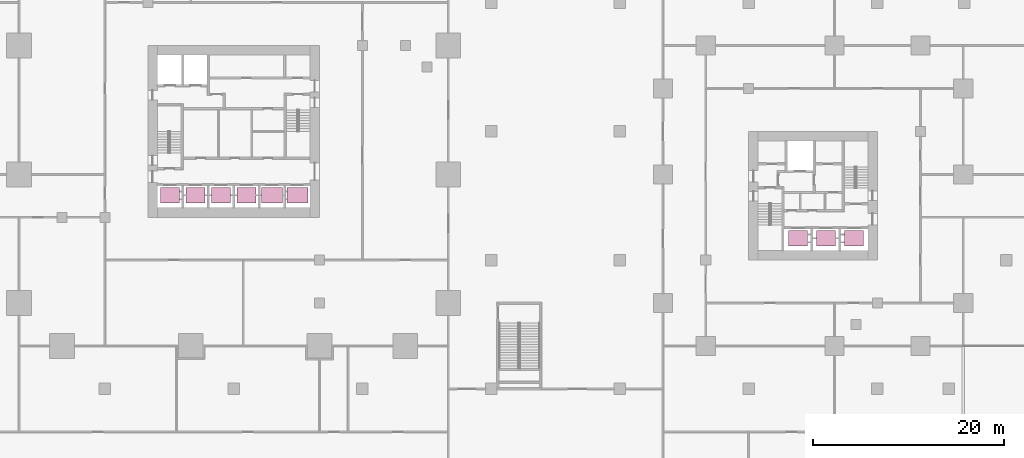
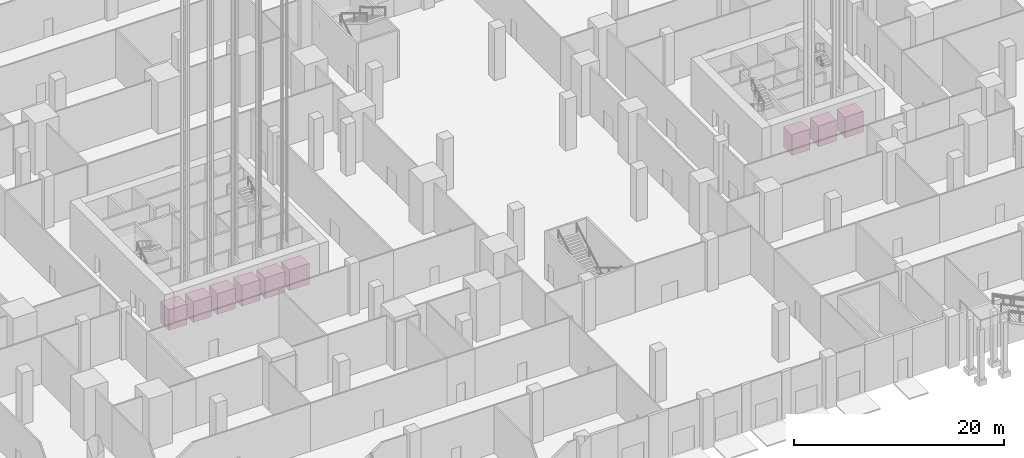
# One storey, part 68 of 68: 9 transport elements.
"""IFC4 building model written with IfcOpenShell, lengths in metres."""

import ifcopenshell
import ifcopenshell.guid

model = None  # the IFC model being written
_history = None  # IfcOwnerHistory: only IFC2X3 demands one
_inside = {}  # id of a spatial element -> (the spatial element, [elements in it])
_under = {}  # id of a project, library or spatial element -> (it, [spatial elements below it])
_declared = {}  # id of a project -> (the project, [libraries it declares])
_typed = {}  # id of a type object -> (the type object, [elements of that type])
_made_of = {}  # id of a material, layer set ... -> (it, [elements and type objects made of it])


def new_model(schema):
    """Start an empty IFC model of exactly this schema.

    Asked for "IFC4X3", IfcOpenShell would pick the latest addendum, in which some entities
    have other attributes; the version numbers below select the first issue.
    IFC2X3 requires an IfcOwnerHistory on every rooted entity: one is made here for all.
    """
    global model, _history
    if schema == "IFC4X3":
        model = ifcopenshell.file(schema_version=(4, 3, 0, 0))
    else:
        model = ifcopenshell.file(schema=schema)
    _inside.clear()
    _under.clear()
    _declared.clear()
    _typed.clear()
    _made_of.clear()
    _history = None
    if model.schema == "IFC2X3":
        org = make("IfcOrganization", Name="unknown")
        user = make(
            "IfcPersonAndOrganization",
            ThePerson=make("IfcPerson", FamilyName="unknown"),
            TheOrganization=org,
        )
        app = make(
            "IfcApplication",
            ApplicationDeveloper=org,
            Version="unknown",
            ApplicationFullName="unknown",
            ApplicationIdentifier="unknown",
        )
        _history = make(
            "IfcOwnerHistory",
            OwningUser=user,
            OwningApplication=app,
            ChangeAction="ADDED",
            CreationDate=0,
        )
    return model


def make(cls, **values):
    """One entity of the class cls with the attributes given. An attribute that is None is left unset."""
    return model.create_entity(
        cls, **{name: value for name, value in values.items() if value is not None}
    )


def rooted(cls, **values):
    """An entity with a GlobalId (a new one), such as an element, a storey or a relation."""
    return make(cls, GlobalId=ifcopenshell.guid.new(), OwnerHistory=_history, **values)


def si_unit(unit_type, name, prefix=None):
    """IfcSIUnit, for example si_unit("LENGTHUNIT", "METRE", prefix="MILLI")."""
    return make("IfcSIUnit", UnitType=unit_type, Prefix=prefix, Name=name)


def assignment(units):
    """IfcUnitAssignment: the units of a project."""
    return None if units is None else make("IfcUnitAssignment", Units=units)


def point(xyz):
    """IfcCartesianPoint."""
    return None if xyz is None else make("IfcCartesianPoint", Coordinates=xyz)


def direction(xyz):
    """IfcDirection."""
    return None if xyz is None else make("IfcDirection", DirectionRatios=xyz)


def frame(location, z_axis=None, x_axis=None):
    """IfcAxis2Placement3D, a coordinate frame: its origin and axes. An axis left out is left unset."""
    return make(
        "IfcAxis2Placement3D",
        Location=point(location),
        Axis=direction(z_axis),
        RefDirection=direction(x_axis),
    )


def frame_2d(location, x_axis=None):
    """IfcAxis2Placement2D, a coordinate frame in the plane: its origin and x axis."""
    return make(
        "IfcAxis2Placement2D", Location=point(location), RefDirection=direction(x_axis)
    )


def origin():
    """The frame at (0, 0, 0) with its axes left unset."""
    return frame((0.0, 0.0, 0.0))


def origin_2d():
    """The frame at (0, 0) in the plane with its x axis left unset."""
    return frame_2d((0.0, 0.0))


def place(relative_to, where):
    """IfcLocalPlacement: puts the frame where relative to a parent placement (None: the world)."""
    return make(
        "IfcLocalPlacement", PlacementRelTo=relative_to, RelativePlacement=where
    )


def context(
    kind, dimensions, precision=None, world=None, true_north=None, identifier=None
):
    """IfcGeometricRepresentationContext, for example the 3D "Model" context."""
    return make(
        "IfcGeometricRepresentationContext",
        ContextIdentifier=identifier,
        ContextType=kind,
        CoordinateSpaceDimension=dimensions,
        Precision=precision,
        WorldCoordinateSystem=world,
        TrueNorth=true_north,
    )


def subcontext(parent, identifier, kind, view, scale=None):
    """IfcGeometricRepresentationSubContext, for example "Body" below "Model"."""
    return make(
        "IfcGeometricRepresentationSubContext",
        ContextIdentifier=identifier,
        ContextType=kind,
        ParentContext=parent,
        TargetScale=scale,
        TargetView=view,
    )


def project(units=None, contexts=None):
    """IfcProject with its units and contexts."""
    return rooted(
        "IfcProject",
        Name="project",
        RepresentationContexts=contexts,
        UnitsInContext=assignment(units),
    )


def spatial(cls, under=None, at=None, **own):
    """A site, building, storey or space (cls), placed at a placement, below another one or the project."""
    s = rooted(cls, ObjectPlacement=at, **own)
    if under is not None:
        _under.setdefault(under.id(), (under, []))[1].append(s)
    return s


def profile(cls, at=None, kind="AREA", **sizes):
    """A parametric profile (cls). Its sizes go by their IFC names, for example OverallWidth=200.0."""
    return make(cls, ProfileType=kind, Position=at, **sizes)


def rectangle(**sizes):
    """IfcRectangleProfileDef."""
    return profile("IfcRectangleProfileDef", **sizes)


def extrude(swept, where, along, depth):
    """IfcExtrudedAreaSolid: the profile swept, set in the frame where, extruded along a direction by depth."""
    return make(
        "IfcExtrudedAreaSolid",
        SweptArea=swept,
        Position=where,
        ExtrudedDirection=direction(along),
        Depth=depth,
    )


def shape(context_of_items, identifier, shape_type, items):
    """IfcShapeRepresentation: the items that make up one representation, for example the "Body"."""
    return make(
        "IfcShapeRepresentation",
        ContextOfItems=context_of_items,
        RepresentationIdentifier=identifier,
        RepresentationType=shape_type,
        Items=items,
    )


def material(Name=None, Category=None):
    """IfcMaterial."""
    return make("IfcMaterial", Name=Name, Category=Category)


def made_of(thing, what):
    """Note that an element or type object is made of a material, layer set ...; save() writes the relation."""
    if what is not None:
        _made_of.setdefault(what.id(), (what, []))[1].append(thing)
    return thing


def type_object(cls, material=None, **own):
    """A type object (cls), such as IfcWallType, which elements share."""
    return made_of(rooted(cls, **own), material)


def element(
    cls,
    number,
    at=None,
    inside=None,
    cuts=None,
    type_object=None,
    material=None,
    context=None,
    identifier="Body",
    shape_type=None,
    held_by="IfcProductDefinitionShape",
    body=None,
    shapes=None,
    **own,
):
    """One element of the class cls, such as IfcWall. Its Tag is "e" and its number.

    at: its placement. inside: the storey or other place that contains it. cuts: it is an
    opening in that element (IfcRelVoidsElement). A single representation is given by context,
    identifier, shape_type and body (its items); several are given by shapes. held_by: the class
    of the entity that holds the representations. save() writes the other relations.
    """
    e = rooted(cls, Tag="e%d" % number, ObjectPlacement=at, **own)
    if body is not None:
        shapes = [shape(context, identifier, shape_type, body)]
    if shapes is not None:
        e.Representation = make(held_by, Representations=shapes)
    if inside is not None:
        _inside.setdefault(inside.id(), (inside, []))[1].append(e)
    if cuts is not None:
        rooted(
            "IfcRelVoidsElement", RelatingBuildingElement=cuts, RelatedOpeningElement=e
        )
    if type_object is not None:
        _typed.setdefault(type_object.id(), (type_object, []))[1].append(e)
    return made_of(e, material)


def aggregate(whole, parts):
    """IfcRelAggregates: a whole, such as a stair, and the parts it consists of."""
    return rooted("IfcRelAggregates", RelatingObject=whole, RelatedObjects=parts)


def save(model, path):
    """Write the relations noted so far, then the file.

    IfcRelAggregates (storeys below a building ...), IfcRelContainedInSpatialStructure (elements
    in a storey), IfcRelDefinesByType, IfcRelAssociatesMaterial and IfcRelDeclares: one each for
    every whole, place, type object, material and project.
    """
    for whole, parts in _under.values():
        aggregate(whole, parts)
    for where, things in _inside.values():
        rooted(
            "IfcRelContainedInSpatialStructure",
            RelatedElements=things,
            RelatingStructure=where,
        )
    for kind, things in _typed.values():
        rooted("IfcRelDefinesByType", RelatedObjects=things, RelatingType=kind)
    for what, things in _made_of.values():
        rooted("IfcRelAssociatesMaterial", RelatedObjects=things, RelatingMaterial=what)
    for by, libraries in _declared.values():
        rooted("IfcRelDeclares", RelatingContext=by, RelatedDefinitions=libraries)
    model.write(path)


model = new_model("IFC4")

# Units and contexts
model_context = context("Model", 3, precision=1e-05, world=origin(), true_north=direction((0.0, 1.0)))
body_context = subcontext(model_context, "Body", "Model", "MODEL_VIEW")
ifc_project = project(units=[si_unit("LENGTHUNIT", "METRE"), si_unit("AREAUNIT", "SQUARE_METRE"), si_unit("VOLUMEUNIT", "CUBIC_METRE"), si_unit("PLANEANGLEUNIT", "RADIAN"), si_unit("MASSUNIT", "GRAM", prefix="KILO")], contexts=[model_context])

# Site, building, storey
site_placement = place(None, origin())
site = spatial("IfcSite", under=ifc_project, at=site_placement, CompositionType="ELEMENT")
building_placement = place(site_placement, origin())
building = spatial("IfcBuilding", under=site, at=building_placement, Name="Altepetl Exchange Towers", CompositionType="ELEMENT")
storey_placement = place(building_placement, origin())
storey = spatial("IfcBuildingStorey", under=building, at=storey_placement, Name="L00 Ground concourse", CompositionType="ELEMENT", Elevation=0.0)

# Transport elements
ifc_material = material(Name="Steel", Category="steel")
transport_element_type_1 = type_object("IfcTransportElementType", Name="Observation lift car 2200 x 1600", PredefinedType="ELEVATOR", material=ifc_material)
transport_element_1_placement = place(storey_placement, frame((56.166748046875, 42.800048828125, 0.0)))
element("IfcTransportElement", 1, at=transport_element_1_placement, inside=storey, type_object=transport_element_type_1, Name="Observation lift OBS1", PredefinedType="ELEVATOR", context=body_context, shape_type="SweptSolid", body=[
    extrude(rectangle(XDim=2.199951171875, YDim=1.60009765625, at=origin_2d()), origin(), (0.0, 0.0, 1.0), 2.39990234375),
])
transport_element_type_2 = type_object("IfcTransportElementType", Name="Passenger lift car 2000 x 1600", PredefinedType="ELEVATOR", material=ifc_material)
for number, where, name in (
    (2, (42.833251953125, 42.800048828125, 0.0), "Passenger lift P1"),
    (3, (45.5, 42.800048828125, 0.0), "Passenger lift P2"),
    (4, (48.166748046875, 42.800048828125, 0.0), "Passenger lift P3"),
    (5, (50.833251953125, 42.800048828125, 0.0), "Passenger lift P4"),
    (6, (108.666748046875, 38.300048828125, 0.0), "Passenger lift P1"),
    (7, (111.60009765625, 38.300048828125, 0.0), "Passenger lift P2"),
    (8, (114.533203125, 38.300048828125, 0.0), "Passenger lift P3"),
):
    element("IfcTransportElement", number, at=place(storey_placement, frame(where)), inside=storey, type_object=transport_element_type_2, Name=name, PredefinedType="ELEVATOR", context=body_context, shape_type="SweptSolid", body=[
        extrude(rectangle(XDim=2.0, YDim=1.60009765625, at=origin_2d()), origin(), (0.0, 0.0, 1.0), 2.39990234375),
    ])
transport_element_type_3 = type_object("IfcTransportElementType", Name="Shuttle lift car 2200 x 1600", PredefinedType="ELEVATOR", material=ifc_material)
transport_element_2_placement = place(storey_placement, frame((53.5, 42.800048828125, 0.0)))
element("IfcTransportElement", 9, at=transport_element_2_placement, inside=storey, type_object=transport_element_type_3, Name="Shuttle lift SH1", PredefinedType="ELEVATOR", context=body_context, shape_type="SweptSolid", body=[
    extrude(rectangle(XDim=2.199951171875, YDim=1.60009765625, at=origin_2d()), origin(), (0.0, 0.0, 1.0), 2.39990234375),
])

save(model, "model.ifc")
